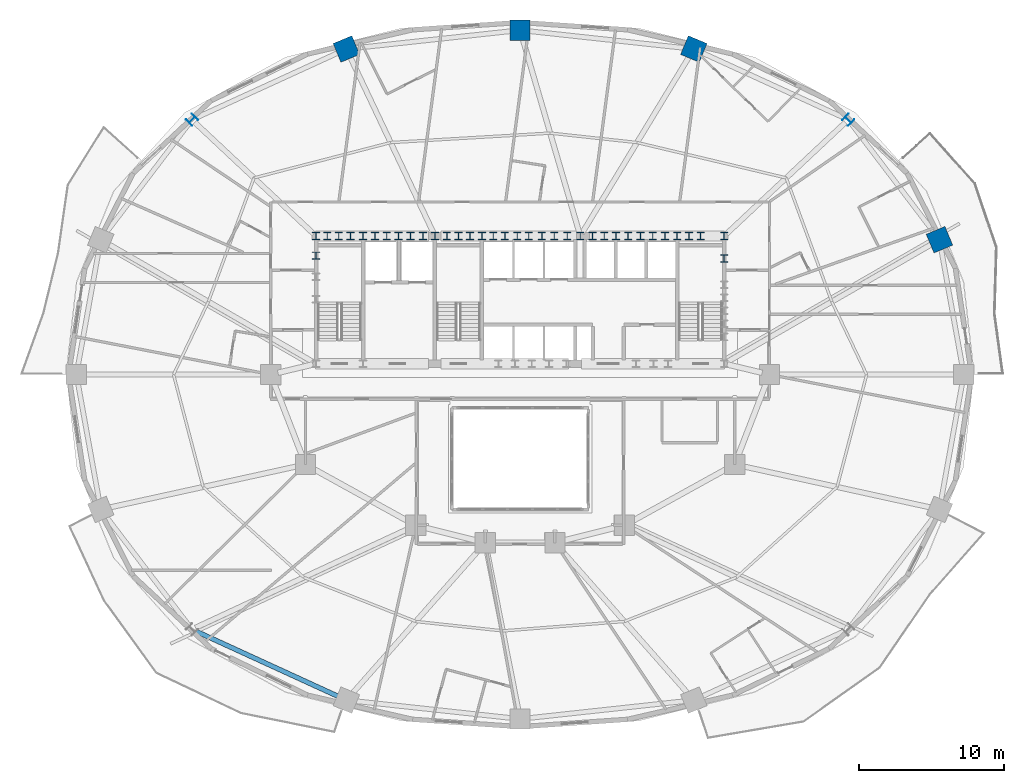
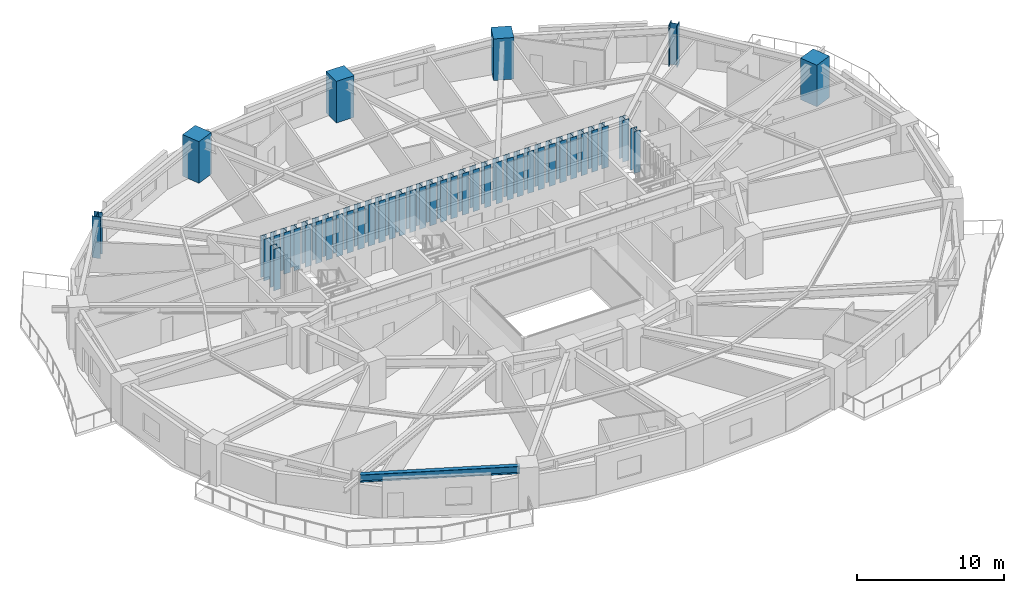
# One storey, part 2 of 17: 42 columns, 1 beam.
"""IFC4 building model written with IfcOpenShell, lengths in metres."""

from ifc_helpers import new_model, si_unit, direction, frame, origin, origin_2d, place, context, subcontext, project, spatial, rectangle, i_section, extrude, material, material_profile, profile_set, type_object, element, save


model = new_model("IFC4")

# Units and contexts
model_context = context("Model", 3, precision=1e-05, world=origin(), true_north=direction((0.0, 1.0)))
body_context = subcontext(model_context, "Body", "Model", "MODEL_VIEW")
ifc_project = project(units=[si_unit("LENGTHUNIT", "METRE"), si_unit("AREAUNIT", "SQUARE_METRE"), si_unit("VOLUMEUNIT", "CUBIC_METRE"), si_unit("PLANEANGLEUNIT", "RADIAN"), si_unit("MASSUNIT", "GRAM", prefix="KILO")], contexts=[model_context])

# Site, building, storey
site_placement = place(None, origin())
site = spatial("IfcSite", under=ifc_project, at=site_placement, CompositionType="ELEMENT")
building_placement = place(site_placement, origin())
building = spatial("IfcBuilding", under=site, at=building_placement, Name="Haldorwick Loom Tower", CompositionType="ELEMENT")
storey_placement = place(building_placement, frame((0.0, 0.0, 51.60009765625)))
storey = spatial("IfcBuildingStorey", under=building, at=storey_placement, Name="L13", CompositionType="ELEMENT", Elevation=51.60009765625)

# Columns
ifc_material_1 = material(Name="Concrete C60 (60 MPa)", Category="concrete")
ifc_material_profile_1 = material_profile(ifc_material_1, rectangle(XDim=1.39990234375, YDim=1.39990234375, at=origin_2d()), Name="RC1400X1400", Category="concrete")
ifc_profile_set_1 = profile_set([ifc_material_profile_1], Name="Concrete C60 (60 MPa)")
column_type_1 = type_object("IfcColumnType", Name="STR-COL-RC1400", PredefinedType="PILASTER", material=ifc_profile_set_1)
for number, where, z_axis, x_axis, name in (
    (1, (64.91748046875, 35.29931640625, 0.0), (0.0, 0.0, 1.0), (0.923879532511, 0.382683432365, 0.0), "L13 Perimeter Pier Column P02"),
    (2, (47.97802734375, 48.4501953125, 0.0), (0.0, 0.0, 1.0), (0.382683432365, 0.923879532511, 0.0), "L13 Perimeter Pier Column P04"),
    (3, (36.0, 49.75, 0.0), (0.0, 0.0, 1.0), (0.0, 1.0, 0.0), "L13 Perimeter Pier Column P05"),
    (4, (24.02197265625, 48.4501953125, 0.0), (0.0, 0.0, 1.0), (-0.382683432365, 0.923879532511, 0.0), "L13 Perimeter Pier Column P06"),
):
    element("IfcColumn", number, at=place(storey_placement, frame(where, z_axis=z_axis, x_axis=x_axis)), inside=storey, type_object=column_type_1, Name=name, PredefinedType="PILASTER", context=body_context, shape_type="SweptSolid", body=[
        extrude(rectangle(XDim=1.39990234375, YDim=1.39990234375, at=origin_2d()), origin(), (0.0, 0.0, 1.0), 3.449951171875),
    ])
ifc_material_2 = material(Name="Steel CSA G40.21 350WT", Category="steel")
ifc_material_profile_2 = material_profile(ifc_material_2, i_section(OverallWidth=0.5, OverallDepth=0.5, WebThickness=0.02197265625, FlangeThickness=0.031982421875, at=origin_2d()), Name="WWF500X500", Category="steel")
ifc_profile_set_2 = profile_set([ifc_material_profile_2], Name="Steel CSA G40.21 350WT")
column_type_2 = type_object("IfcColumnType", Name="STR-COL-WWF500", PredefinedType="COLUMN", material=ifc_profile_set_2)
for number, where, z_axis, x_axis, name in (
    (5, (21.929931640625, 35.550048828125, 0.0), (0.0, 0.0, 1.0), (1.0, 0.0, 0.0), "L13 Core Pilaster CB-01"),
    (6, (23.5, 35.550048828125, 0.0), (0.0, 0.0, 1.0), (1.0, 0.0, 0.0), "L13 Core Pilaster CB-02"),
    (7, (25.169921875, 35.550048828125, 0.0), (0.0, 0.0, 1.0), (1.0, 0.0, 0.0), "L13 Core Pilaster CB-03"),
    (8, (26.800048828125, 35.550048828125, 0.0), (0.0, 0.0, 1.0), (1.0, 0.0, 0.0), "L13 Core Pilaster CB-04"),
    (9, (28.449951171875, 35.550048828125, 0.0), (0.0, 0.0, 1.0), (1.0, 0.0, 0.0), "L13 Core Pilaster CB-05"),
    (10, (30.1298828125, 35.550048828125, 0.0), (0.0, 0.0, 1.0), (1.0, 0.0, 0.0), "L13 Core Pilaster CB-06"),
    (11, (31.75, 35.550048828125, 0.0), (0.0, 0.0, 1.0), (1.0, 0.0, 0.0), "L13 Core Pilaster CB-07"),
    (12, (33.3701171875, 35.550048828125, 0.0), (0.0, 0.0, 1.0), (1.0, 0.0, 0.0), "L13 Core Pilaster CB-08"),
    (13, (34.949951171875, 35.550048828125, 0.0), (0.0, 0.0, 1.0), (1.0, 0.0, 0.0), "L13 Core Pilaster CB-09"),
    (14, (36.60009765625, 35.550048828125, 0.0), (0.0, 0.0, 1.0), (1.0, 0.0, 0.0), "L13 Core Pilaster CB-10"),
    (15, (38.35009765625, 35.550048828125, 0.0), (0.0, 0.0, 1.0), (1.0, 0.0, 0.0), "L13 Core Pilaster CB-11"),
    (16, (40.14990234375, 35.550048828125, 0.0), (0.0, 0.0, 1.0), (1.0, 0.0, 0.0), "L13 Core Pilaster CB-12"),
    (17, (41.800048828125, 35.550048828125, 0.0), (0.0, 0.0, 1.0), (1.0, 0.0, 0.0), "L13 Core Pilaster CB-13"),
    (18, (43.449951171875, 35.550048828125, 0.0), (0.0, 0.0, 1.0), (1.0, 0.0, 0.0), "L13 Core Pilaster CB-14"),
    (19, (45.14990234375, 35.550048828125, 0.0), (0.0, 0.0, 1.0), (1.0, 0.0, 0.0), "L13 Core Pilaster CB-15"),
    (20, (46.830078125, 35.550048828125, 0.0), (0.0, 0.0, 1.0), (1.0, 0.0, 0.0), "L13 Core Pilaster CB-16"),
    (21, (48.449951171875, 35.550048828125, 0.0), (0.0, 0.0, 1.0), (1.0, 0.0, 0.0), "L13 Core Pilaster CB-17"),
    (22, (50.070068359375, 35.550048828125, 0.0), (0.0, 0.0, 1.0), (1.0, 0.0, 0.0), "L13 Core Pilaster CB-18"),
    (23, (21.929931640625, 34.199951171875, 0.0), (0.0, 0.0, 1.0), (1.0, 0.0, 0.0), "L13 Core Pilaster CB-28"),
    (24, (50.070068359375, 34.0, 0.0), (0.0, 0.0, 1.0), (1.0, 0.0, 0.0), "L13 Core Pilaster CB-32"),
    (25, (22.699951171875, 35.550048828125, 0.0), (0.0, 0.0, 1.0), (1.0, 0.0, 0.0), "L13 Core Pilaster CB-33"),
    (26, (27.6201171875, 35.550048828125, 0.0), (0.0, 0.0, 1.0), (1.0, 0.0, 0.0), "L13 Core Pilaster CB-34"),
    (27, (32.550048828125, 35.550048828125, 0.0), (0.0, 0.0, 1.0), (1.0, 0.0, 0.0), "L13 Core Pilaster CB-35"),
    (28, (37.5, 35.550048828125, 0.0), (0.0, 0.0, 1.0), (1.0, 0.0, 0.0), "L13 Core Pilaster CB-36"),
    (29, (42.6201171875, 35.550048828125, 0.0), (0.0, 0.0, 1.0), (1.0, 0.0, 0.0), "L13 Core Pilaster CB-37"),
    (30, (47.64990234375, 35.550048828125, 0.0), (0.0, 0.0, 1.0), (1.0, 0.0, 0.0), "L13 Core Pilaster CB-38"),
    (31, (24.300048828125, 35.550048828125, 0.0), (0.0, 0.0, 1.0), (1.0, 0.0, 0.0), "L13 Core Pilaster CB-39"),
    (32, (26.0, 35.550048828125, 0.0), (0.0, 0.0, 1.0), (1.0, 0.0, 0.0), "L13 Core Pilaster CB-40"),
    (33, (29.300048828125, 35.550048828125, 0.0), (0.0, 0.0, 1.0), (1.0, 0.0, 0.0), "L13 Core Pilaster CB-41"),
    (34, (30.949951171875, 35.550048828125, 0.0), (0.0, 0.0, 1.0), (1.0, 0.0, 0.0), "L13 Core Pilaster CB-42"),
    (35, (34.14990234375, 35.550048828125, 0.0), (0.0, 0.0, 1.0), (1.0, 0.0, 0.0), "L13 Core Pilaster CB-43"),
    (36, (35.800048828125, 35.550048828125, 0.0), (0.0, 0.0, 1.0), (1.0, 0.0, 0.0), "L13 Core Pilaster CB-44"),
    (37, (39.25, 35.550048828125, 0.0), (0.0, 0.0, 1.0), (1.0, 0.0, 0.0), "L13 Core Pilaster CB-45"),
    (38, (41.0, 35.550048828125, 0.0), (0.0, 0.0, 1.0), (1.0, 0.0, 0.0), "L13 Core Pilaster CB-46"),
    (39, (44.300048828125, 35.550048828125, 0.0), (0.0, 0.0, 1.0), (1.0, 0.0, 0.0), "L13 Core Pilaster CB-47"),
    (40, (46.0, 35.550048828125, 0.0), (0.0, 0.0, 1.0), (1.0, 0.0, 0.0), "L13 Core Pilaster CB-48"),
):
    element("IfcColumn", number, at=place(storey_placement, frame(where, z_axis=z_axis, x_axis=x_axis)), inside=storey, type_object=column_type_2, Name=name, PredefinedType="COLUMN", context=body_context, shape_type="SweptSolid", body=[
        extrude(i_section(OverallWidth=0.5, OverallDepth=0.5, WebThickness=0.02197265625, FlangeThickness=0.031982421875, at=origin_2d()), origin(), (0.0, 0.0, 1.0), 3.449951171875),
    ])
ifc_material_profile_3 = material_profile(ifc_material_2, i_section(OverallWidth=0.60009765625, OverallDepth=0.60009765625, WebThickness=0.02490234375, FlangeThickness=0.035888671875, at=origin_2d()), Name="WWF600X600", Category="steel")
ifc_profile_set_3 = profile_set([ifc_material_profile_3], Name="Steel CSA G40.21 350WT")
column_type_3 = type_object("IfcColumnType", Name="STR-COL-WWF600", PredefinedType="COLUMN", material=ifc_profile_set_3)
for number, where, z_axis, x_axis, name in (
    (41, (58.630126953125, 43.571533203125, 0.0), (0.0, 0.0, 1.0), (0.707106781187, 0.707106781187, 0.0), "L13 Perimeter Pier Column P03"),
    (42, (13.369873046875, 43.571533203125, 0.0), (0.0, 0.0, 1.0), (-0.707106781187, 0.707106781187, 0.0), "L13 Perimeter Pier Column P07"),
):
    element("IfcColumn", number, at=place(storey_placement, frame(where, z_axis=z_axis, x_axis=x_axis)), inside=storey, type_object=column_type_3, Name=name, PredefinedType="COLUMN", context=body_context, shape_type="SweptSolid", body=[
        extrude(i_section(OverallWidth=0.60009765625, OverallDepth=0.60009765625, WebThickness=0.02490234375, FlangeThickness=0.035888671875, at=origin_2d()), origin(), (0.0, 0.0, 1.0), 3.449951171875),
    ])

# Beam
ifc_material_3 = material(Name="Steel CSA G40.21 350W", Category="steel")
ifc_material_profile_4 = material_profile(ifc_material_3, i_section(OverallWidth=0.324951171875, OverallDepth=0.615966796875, WebThickness=0.013916015625, FlangeThickness=0.021484375, at=origin_2d()), Name="W610X174", Category="steel")
ifc_profile_set_4 = profile_set([ifc_material_profile_4], Name="Steel CSA G40.21 350W")
beam_type = type_object("IfcBeamType", Name="STR-BM-SP610", PredefinedType="SPANDREL", material=ifc_profile_set_4)
beam_placement = place(storey_placement, frame((13.619873046875, 8.31396484375, 2.90185546875), z_axis=(0.909173805321, -0.416416848504, 0.0), x_axis=(0.416416848504, 0.909173805321, 0.0)))
element("IfcBeam", 43, at=beam_placement, inside=storey, type_object=beam_type, Name="L13 Perimeter Spandrel 11", PredefinedType="SPANDREL", context=body_context, shape_type="SweptSolid", body=[
    extrude(i_section(OverallWidth=0.324951171875, OverallDepth=0.615966796875, WebThickness=0.013916015625, FlangeThickness=0.021484375, at=origin_2d()), origin(), (0.0, 0.0, 1.0), 10.92138671875),
])

save(model, "model.ifc")
